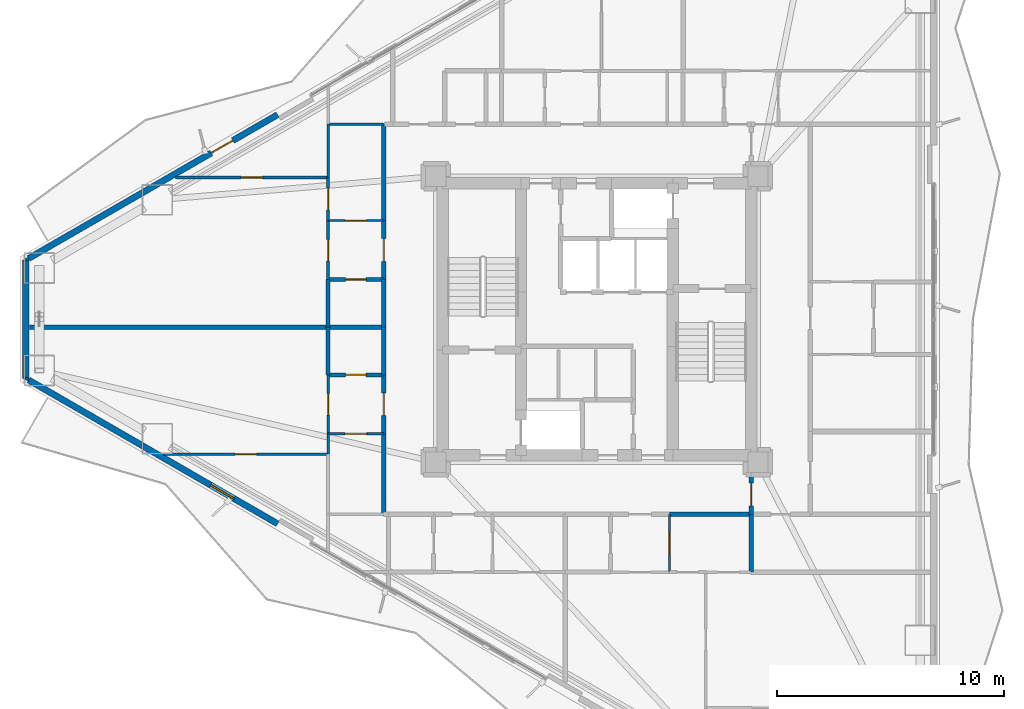
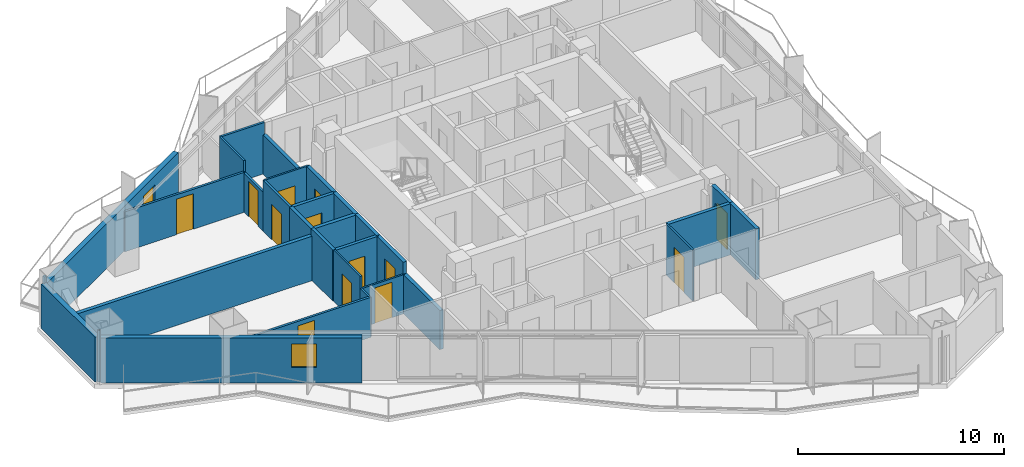
# One storey, part 12 of 18: 31 walls, 14 doors, 1 window, 15 openings.
"""IFC4 building model written with IfcOpenShell, lengths in metres."""

from ifc_helpers import new_model, si_unit, direction, frame, frame_2d, origin, place, context, subcontext, project, spatial, rectangle, extrude, material, layer, layer_set, type_object, element, fill, save


model = new_model("IFC4")

# Units and contexts
model_context = context("Model", 3, precision=1e-05, world=origin(), true_north=direction((0.0, 1.0)))
body_context = subcontext(model_context, "Body", "Model", "MODEL_VIEW")
ifc_project = project(units=[si_unit("LENGTHUNIT", "METRE"), si_unit("AREAUNIT", "SQUARE_METRE"), si_unit("VOLUMEUNIT", "CUBIC_METRE"), si_unit("PLANEANGLEUNIT", "RADIAN"), si_unit("MASSUNIT", "GRAM", prefix="KILO")], contexts=[model_context])

# Site, building, storey
site_placement = place(None, origin())
site = spatial("IfcSite", under=ifc_project, at=site_placement, CompositionType="ELEMENT")
building_placement = place(site_placement, origin())
building = spatial("IfcBuilding", under=site, at=building_placement, Name="Mersakhor Tower and Convention Hall", CompositionType="ELEMENT")
storey_placement = place(building_placement, frame((0.0, 0.0, 58.800048828125)))
storey = spatial("IfcBuildingStorey", under=building, at=storey_placement, Name="L16", CompositionType="ELEMENT", Elevation=58.800048828125)

# Wall
ifc_material_1 = material(Name="Precast concrete C45/55", Category="concrete")
ifc_layer_1 = layer(ifc_material_1, 0.27490234375)
ifc_layer_set_1 = layer_set([ifc_layer_1], Name="Precast concrete C45/55")
wall_type_1 = type_object("IfcWallType", Name="WL-EXT-275", PredefinedType="SOLIDWALL", material=ifc_layer_set_1)
wall_1_placement = place(storey_placement, frame((3.81298828125, 24.144287109375, 0.0), z_axis=(0.0, 0.0, 1.0), x_axis=(0.0, 1.0, 0.0)))
element("IfcWall", 1, at=wall_1_placement, inside=storey, type_object=wall_type_1, Name="L16 Chamfer Braced Spandrel Wall C3", PredefinedType="SOLIDWALL", context=body_context, shape_type="SweptSolid", body=[
    extrude(rectangle(XDim=5.21142578125, YDim=0.27490234375, at=frame_2d((2.605712890625, 0.0))), origin(), (0.0, 0.0, 1.0), 2.639892578125),
])

# Wall, opening, door
wall_2_placement = place(storey_placement, frame((3.943115234375, 29.4306640625, 0.0), z_axis=(0.0, 0.0, 1.0), x_axis=(0.866027105532, 0.499997052475, 0.0)))
wall_2 = element("IfcWall", 2, at=wall_2_placement, inside=storey, type_object=wall_type_1, Name="L16 Exterior Facade Wall F1-B1", PredefinedType="SOLIDWALL", context=body_context, shape_type="SweptSolid", body=[
    extrude(rectangle(XDim=12.6728515625, YDim=0.27490234375, at=frame_2d((6.33642578125, 0.0))), origin(), (0.0, 0.0, 1.0), 2.639892578125),
])
opening_1_placement = place(wall_2_placement, frame((9.298095703125, 0.0, 0.0)))
opening_1 = element("IfcOpeningElement", 3, at=opening_1_placement, cuts=wall_2, Name="Opening BD-02", PredefinedType="OPENING", context=body_context, shape_type="SweptSolid", body=[
    extrude(rectangle(XDim=1.10009765625, YDim=2.10009765625, at=frame_2d((0.550048828125, 1.050048828125))), frame((0.0, 0.1474609375, 0.0), z_axis=(0.0, -1.0, 0.0), x_axis=(1.0, 0.0, 0.0)), (0.0, 0.0, 1.0), 0.294921875),
])
ifc_material_2 = material(Name="Thermally broken dark aluminium and safety glass", Category="aluminium")
door_type_1 = type_object("IfcDoorType", Name="DR-BAL-110x210", OperationType="NOTDEFINED", PredefinedType="DOOR", material=ifc_material_2)
door_1_placement = place(opening_1_placement, origin())
door_1 = element("IfcDoor", 4, at=door_1_placement, inside=storey, type_object=door_type_1, Name="L16 Balcony Terrace Door F1-B1", OperationType="SINGLE_SWING_RIGHT", OverallHeight=2.10009765625, OverallWidth=1.10009765625, PredefinedType="DOOR", context=body_context, shape_type="SweptSolid", body=[
    extrude(rectangle(XDim=1.10009765625, YDim=2.10009765625, at=frame_2d((0.550048828125, 1.050048828125))), frame((0.0, 0.02490234375, 0.0), z_axis=(0.0, -1.0, 0.0), x_axis=(1.0, 0.0, 0.0)), (0.0, 0.0, 1.0), 0.050048828125),
])
fill(opening_1, door_1)

# Wall, opening, window
wall_3_placement = place(storey_placement, frame((14.918212890625, 17.73291015625, 0.0), z_axis=(0.0, 0.0, 1.0), x_axis=(-0.866027105532, 0.499997052475, 0.0)))
wall_3 = element("IfcWall", 5, at=wall_3_placement, inside=storey, type_object=wall_type_1, Name="L16 Exterior Facade Wall F3-B3", PredefinedType="SOLIDWALL", context=body_context, shape_type="SweptSolid", body=[
    extrude(rectangle(XDim=12.6728515625, YDim=0.27490234375, at=frame_2d((6.33642578125, 0.0))), origin(), (0.0, 0.0, 1.0), 2.639892578125),
])
opening_2_placement = place(wall_3_placement, frame((2.216064453125, 0.0, 0.89990234375)))
opening_2 = element("IfcOpeningElement", 6, at=opening_2_placement, cuts=wall_3, Name="Opening W-01", PredefinedType="OPENING", context=body_context, shape_type="SweptSolid", body=[
    extrude(rectangle(XDim=1.199951171875, YDim=1.39990234375, at=frame_2d((0.60009765625, 0.699951171875))), frame((0.0, 0.1474609375, 0.0), z_axis=(0.0, -1.0, 0.0), x_axis=(1.0, 0.0, 0.0)), (0.0, 0.0, 1.0), 0.294921875),
])
ifc_material_3 = material(Name="Dark solar low-E glazed aluminium window", Category="aluminium")
window_type = type_object("IfcWindowType", Name="WN-RES-120x150", PartitioningType="SINGLE_PANEL", PredefinedType="WINDOW", material=ifc_material_3)
window_placement = place(opening_2_placement, origin())
window = element("IfcWindow", 7, at=window_placement, inside=storey, type_object=window_type, Name="L16 Bedroom Facade Window F3-B3-1", OverallHeight=1.39990234375, OverallWidth=1.199951171875, PartitioningType="SINGLE_PANEL", PredefinedType="WINDOW", context=body_context, shape_type="SweptSolid", body=[
    extrude(rectangle(XDim=1.199951171875, YDim=1.39990234375, at=frame_2d((0.60009765625, 0.699951171875))), frame((0.0, 0.030029296875, 0.0), z_axis=(0.0, -1.0, 0.0), x_axis=(1.0, 0.0, 0.0)), (0.0, 0.0, 1.0), 0.06005859375),
])
fill(opening_2, window)

# Wall, opening, door
ifc_material_4 = material(Name="Moisture-resistant acoustic drywall studwork", Category="other")
ifc_layer_2 = layer(ifc_material_4, 0.175048828125)
ifc_layer_set_2 = layer_set([ifc_layer_2], Name="Moisture-resistant acoustic drywall studwork")
wall_type_2 = type_object("IfcWallType", Name="WL-PLM-175", PredefinedType="PLUMBINGWALL", material=ifc_layer_set_2)
wall_4_placement = place(storey_placement, frame((19.60009765625, 28.5, 0.0), z_axis=(0.0, 0.0, 1.0), x_axis=(-1.0, 0.0, 0.0)))
wall_4 = element("IfcWall", 8, at=wall_4_placement, inside=storey, type_object=wall_type_2, Name="L16 Interior Partition Wall P-083", PredefinedType="PLUMBINGWALL", context=body_context, shape_type="SweptSolid", body=[
    extrude(rectangle(XDim=2.4501953125, YDim=0.175048828125, at=frame_2d((1.22509765625, 0.0))), origin(), (0.0, 0.0, 1.0), 3.02001953125),
])
opening_3_placement = place(wall_4_placement, frame((0.77490234375, 0.0, 0.0)))
opening_3 = element("IfcOpeningElement", 9, at=opening_3_placement, cuts=wall_4, Name="Opening WD-01", PredefinedType="OPENING", context=body_context, shape_type="SweptSolid", body=[
    extrude(rectangle(XDim=0.89990234375, YDim=2.10009765625, at=frame_2d((0.449951171875, 1.050048828125))), frame((0.0, 0.097412109375, 0.0), z_axis=(0.0, -1.0, 0.0), x_axis=(1.0, 0.0, 0.0)), (0.0, 0.0, 1.0), 0.195068359375),
])
ifc_material_5 = material(Name="Solid-core hardwood leaf in painted steel frame", Category="steel")
door_type_2 = type_object("IfcDoorType", Name="DR-INT-WET-090x210", OperationType="NOTDEFINED", PredefinedType="DOOR", material=ifc_material_5)
door_2_placement = place(opening_3_placement, origin())
door_2 = element("IfcDoor", 10, at=door_2_placement, inside=storey, type_object=door_type_2, Name="L16 L16 Flat W6 Apartment Hall to L16 Flat W6 Bathroom Door", OperationType="SINGLE_SWING_RIGHT", OverallHeight=2.10009765625, OverallWidth=0.89990234375, PredefinedType="DOOR", context=body_context, shape_type="SweptSolid", body=[
    extrude(rectangle(XDim=0.89990234375, YDim=2.10009765625, at=frame_2d((0.449951171875, 1.050048828125))), frame((0.0, 0.02490234375, 0.0), z_axis=(0.0, -1.0, 0.0), x_axis=(1.0, 0.0, 0.0)), (0.0, 0.0, 1.0), 0.050048828125),
])
fill(opening_3, door_2)

wall_5_placement = place(storey_placement, frame((17.14990234375, 24.300048828125, 0.0), z_axis=(0.0, 0.0, 1.0), x_axis=(1.0, 0.0, 0.0)))
wall_5 = element("IfcWall", 11, at=wall_5_placement, inside=storey, type_object=wall_type_2, Name="L16 Interior Partition Wall P-085", PredefinedType="PLUMBINGWALL", context=body_context, shape_type="SweptSolid", body=[
    extrude(rectangle(XDim=2.4501953125, YDim=0.175048828125, at=frame_2d((1.22509765625, 0.0))), origin(), (0.0, 0.0, 1.0), 3.02001953125),
])
opening_4_placement = place(wall_5_placement, frame((0.77490234375, 0.0, 0.0)))
opening_4 = element("IfcOpeningElement", 12, at=opening_4_placement, cuts=wall_5, Name="Opening WD-01", PredefinedType="OPENING", context=body_context, shape_type="SweptSolid", body=[
    extrude(rectangle(XDim=0.89990234375, YDim=2.10009765625, at=frame_2d((0.449951171875, 1.050048828125))), frame((0.0, 0.097412109375, 0.0), z_axis=(0.0, -1.0, 0.0), x_axis=(1.0, 0.0, 0.0)), (0.0, 0.0, 1.0), 0.195068359375),
])
door_3_placement = place(opening_4_placement, origin())
door_3 = element("IfcDoor", 13, at=door_3_placement, inside=storey, type_object=door_type_2, Name="L16 L16 Flat W7 Apartment Hall to L16 Flat W7 Bathroom Door", OperationType="SINGLE_SWING_LEFT", OverallHeight=2.10009765625, OverallWidth=0.89990234375, PredefinedType="DOOR", context=body_context, shape_type="SweptSolid", body=[
    extrude(rectangle(XDim=0.89990234375, YDim=2.10009765625, at=frame_2d((0.449951171875, 1.050048828125))), frame((0.0, 0.02490234375, 0.0), z_axis=(0.0, -1.0, 0.0), x_axis=(1.0, 0.0, 0.0)), (0.0, 0.0, 1.0), 0.050048828125),
])
fill(opening_4, door_3)

# Walls
wall_6_placement = place(storey_placement, frame((17.14990234375, 26.39990234375, 0.0), z_axis=(0.0, 0.0, 1.0), x_axis=(0.0, 1.0, 0.0)))
element("IfcWall", 14, at=wall_6_placement, inside=storey, type_object=wall_type_2, Name="L16 Interior Partition Wall P-109", PredefinedType="PLUMBINGWALL", context=body_context, shape_type="SweptSolid", body=[
    extrude(rectangle(XDim=2.10009765625, YDim=0.175048828125, at=frame_2d((1.050048828125, 0.0))), origin(), (0.0, 0.0, 1.0), 3.02001953125),
])
wall_7_placement = place(storey_placement, frame((17.14990234375, 24.300048828125, 0.0), z_axis=(0.0, 0.0, 1.0), x_axis=(0.0, 1.0, 0.0)))
element("IfcWall", 15, at=wall_7_placement, inside=storey, type_object=wall_type_2, Name="L16 Interior Partition Wall P-114", PredefinedType="PLUMBINGWALL", context=body_context, shape_type="SweptSolid", body=[
    extrude(rectangle(XDim=2.099853515625, YDim=0.175048828125, at=frame_2d((1.0498046875, 0.0))), origin(), (0.0, 0.0, 1.0), 3.02001953125),
])

# Wall, opening, door
ifc_material_6 = material(Name="Lightweight gypsum partition", Category="other")
ifc_layer_3 = layer(ifc_material_6, 0.10009765625)
ifc_layer_set_3 = layer_set([ifc_layer_3], Name="Lightweight gypsum partition")
wall_type_3 = type_object("IfcWallType", Name="WL-PRT-100", PredefinedType="PARTITIONING", material=ifc_layer_set_3)
wall_8_placement = place(storey_placement, frame((32.199951171875, 18.14990234375, 0.0), z_axis=(0.0, 0.0, 1.0), x_axis=(0.0, -1.0, 0.0)))
wall_8 = element("IfcWall", 16, at=wall_8_placement, inside=storey, type_object=wall_type_3, Name="L16 Interior Partition Wall P-080", PredefinedType="PARTITIONING", context=body_context, shape_type="SweptSolid", body=[
    extrude(rectangle(XDim=2.5498046875, YDim=0.10009765625, at=frame_2d((1.27490234375, 0.0))), origin(), (0.0, 0.0, 1.0), 3.02001953125),
])
opening_5_placement = place(wall_8_placement, frame((0.800048828125, 0.0, 0.0)))
opening_5 = element("IfcOpeningElement", 17, at=opening_5_placement, cuts=wall_8, Name="Opening RD-01", PredefinedType="OPENING", context=body_context, shape_type="SweptSolid", body=[
    extrude(rectangle(XDim=0.949951171875, YDim=2.10009765625, at=frame_2d((0.47509765625, 1.050048828125))), frame((0.0, 0.06005859375, 0.0), z_axis=(0.0, -1.0, 0.0), x_axis=(1.0, 0.0, 0.0)), (0.0, 0.0, 1.0), 0.1201171875),
])
ifc_material_7 = material(Name="Solid-core hardwood leaf in painted steel frame", Category="steel")
door_type_3 = type_object("IfcDoorType", Name="DR-INT-RM-095x210", OperationType="NOTDEFINED", PredefinedType="DOOR", material=ifc_material_7)
door_4_placement = place(opening_5_placement, origin())
door_4 = element("IfcDoor", 18, at=door_4_placement, inside=storey, type_object=door_type_3, Name="L16 L16 Flat S5 Apartment Hall to L16 Flat S5 Kitchen Door", OperationType="SINGLE_SWING_RIGHT", OverallHeight=2.10009765625, OverallWidth=0.949951171875, PredefinedType="DOOR", context=body_context, shape_type="SweptSolid", body=[
    extrude(rectangle(XDim=0.949951171875, YDim=2.10009765625, at=frame_2d((0.47509765625, 1.050048828125))), frame((0.0, 0.02490234375, 0.0), z_axis=(0.0, -1.0, 0.0), x_axis=(1.0, 0.0, 0.0)), (0.0, 0.0, 1.0), 0.050048828125),
])
fill(opening_5, door_4)

wall_9_placement = place(storey_placement, frame((17.14990234375, 31.10009765625, 0.0), z_axis=(0.0, 0.0, 1.0), x_axis=(1.0, 0.0, 0.0)))
wall_9 = element("IfcWall", 19, at=wall_9_placement, inside=storey, type_object=wall_type_3, Name="L16 Interior Partition Wall P-082", PredefinedType="PARTITIONING", context=body_context, shape_type="SweptSolid", body=[
    extrude(rectangle(XDim=2.4501953125, YDim=0.10009765625, at=frame_2d((1.22509765625, 0.0))), origin(), (0.0, 0.0, 1.0), 3.02001953125),
])
opening_6_placement = place(wall_9_placement, frame((0.75, 0.0, 0.0)))
opening_6 = element("IfcOpeningElement", 20, at=opening_6_placement, cuts=wall_9, Name="Opening RD-01", PredefinedType="OPENING", context=body_context, shape_type="SweptSolid", body=[
    extrude(rectangle(XDim=0.949951171875, YDim=2.10009765625, at=frame_2d((0.47509765625, 1.050048828125))), frame((0.0, 0.06005859375, 0.0), z_axis=(0.0, -1.0, 0.0), x_axis=(1.0, 0.0, 0.0)), (0.0, 0.0, 1.0), 0.1201171875),
])
door_5_placement = place(opening_6_placement, origin())
door_5 = element("IfcDoor", 21, at=door_5_placement, inside=storey, type_object=door_type_3, Name="L16 L16 Flat W6 Apartment Hall to L16 Flat W6 Kitchen Door", OperationType="SINGLE_SWING_LEFT", OverallHeight=2.10009765625, OverallWidth=0.949951171875, PredefinedType="DOOR", context=body_context, shape_type="SweptSolid", body=[
    extrude(rectangle(XDim=0.949951171875, YDim=2.10009765625, at=frame_2d((0.47509765625, 1.050048828125))), frame((0.0, 0.02490234375, 0.0), z_axis=(0.0, -1.0, 0.0), x_axis=(1.0, 0.0, 0.0)), (0.0, 0.0, 1.0), 0.050048828125),
])
fill(opening_6, door_5)

wall_10_placement = place(storey_placement, frame((17.14990234375, 21.699951171875, 0.0), z_axis=(0.0, 0.0, 1.0), x_axis=(0.0, 1.0, 0.0)))
wall_10 = element("IfcWall", 22, at=wall_10_placement, inside=storey, type_object=wall_type_3, Name="L16 Interior Partition Wall P-084", PredefinedType="PARTITIONING", context=body_context, shape_type="SweptSolid", body=[
    extrude(rectangle(XDim=2.60009765625, YDim=0.10009765625, at=frame_2d((1.300048828125, 0.0))), origin(), (0.0, 0.0, 1.0), 3.02001953125),
])
opening_7_placement = place(wall_10_placement, frame((0.824951171875, 0.0, 0.0)))
opening_7 = element("IfcOpeningElement", 23, at=opening_7_placement, cuts=wall_10, Name="Opening RD-01", PredefinedType="OPENING", context=body_context, shape_type="SweptSolid", body=[
    extrude(rectangle(XDim=0.949951171875, YDim=2.10009765625, at=frame_2d((0.47509765625, 1.050048828125))), frame((0.0, 0.06005859375, 0.0), z_axis=(0.0, -1.0, 0.0), x_axis=(1.0, 0.0, 0.0)), (0.0, 0.0, 1.0), 0.1201171875),
])
door_6_placement = place(opening_7_placement, origin())
door_6 = element("IfcDoor", 24, at=door_6_placement, inside=storey, type_object=door_type_3, Name="L16 L16 Flat W7 Apartment Hall to L16 Flat W7 Living and Dining Room Door", OperationType="SINGLE_SWING_LEFT", OverallHeight=2.10009765625, OverallWidth=0.949951171875, PredefinedType="DOOR", context=body_context, shape_type="SweptSolid", body=[
    extrude(rectangle(XDim=0.949951171875, YDim=2.10009765625, at=frame_2d((0.47509765625, 1.050048828125))), frame((0.0, 0.02490234375, 0.0), z_axis=(0.0, -1.0, 0.0), x_axis=(1.0, 0.0, 0.0)), (0.0, 0.0, 1.0), 0.050048828125),
])
fill(opening_7, door_6)

wall_11_placement = place(storey_placement, frame((19.60009765625, 21.699951171875, 0.0), z_axis=(0.0, 0.0, 1.0), x_axis=(-1.0, 0.0, 0.0)))
wall_11 = element("IfcWall", 25, at=wall_11_placement, inside=storey, type_object=wall_type_3, Name="L16 Interior Partition Wall P-086", PredefinedType="PARTITIONING", context=body_context, shape_type="SweptSolid", body=[
    extrude(rectangle(XDim=2.4501953125, YDim=0.10009765625, at=frame_2d((1.22509765625, 0.0))), origin(), (0.0, 0.0, 1.0), 2.3173828125),
])
opening_8_placement = place(wall_11_placement, frame((0.75, 0.0, 0.0)))
opening_8 = element("IfcOpeningElement", 26, at=opening_8_placement, cuts=wall_11, Name="Opening RD-01", PredefinedType="OPENING", context=body_context, shape_type="SweptSolid", body=[
    extrude(rectangle(XDim=0.949951171875, YDim=2.10009765625, at=frame_2d((0.47509765625, 1.050048828125))), frame((0.0, 0.06005859375, 0.0), z_axis=(0.0, -1.0, 0.0), x_axis=(1.0, 0.0, 0.0)), (0.0, 0.0, 1.0), 0.1201171875),
])
door_7_placement = place(opening_8_placement, origin())
door_7 = element("IfcDoor", 27, at=door_7_placement, inside=storey, type_object=door_type_3, Name="L16 L16 Flat W7 Apartment Hall to L16 Flat W7 Kitchen Door", OperationType="SINGLE_SWING_RIGHT", OverallHeight=2.10009765625, OverallWidth=0.949951171875, PredefinedType="DOOR", context=body_context, shape_type="SweptSolid", body=[
    extrude(rectangle(XDim=0.949951171875, YDim=2.10009765625, at=frame_2d((0.47509765625, 1.050048828125))), frame((0.0, 0.02490234375, 0.0), z_axis=(0.0, -1.0, 0.0), x_axis=(1.0, 0.0, 0.0)), (0.0, 0.0, 1.0), 0.050048828125),
])
fill(opening_8, door_7)

# Walls
wall_12_placement = place(storey_placement, frame((17.14990234375, 33.0, 0.0), z_axis=(0.0, 0.0, 1.0), x_axis=(0.0, 1.0, 0.0)))
element("IfcWall", 28, at=wall_12_placement, inside=storey, type_object=wall_type_3, Name="L16 Interior Partition Wall P-112", PredefinedType="PARTITIONING", context=body_context, shape_type="SweptSolid", body=[
    extrude(rectangle(XDim=2.35009765625, YDim=0.10009765625, at=frame_2d((1.175048828125, 0.0))), origin(), (0.0, 0.0, 1.0), 3.02001953125),
])
wall_13_placement = place(storey_placement, frame((17.14990234375, 20.800048828125, 0.0), z_axis=(0.0, 0.0, 1.0), x_axis=(0.0, 1.0, 0.0)))
element("IfcWall", 29, at=wall_13_placement, inside=storey, type_object=wall_type_3, Name="L16 Interior Partition Wall P-116", PredefinedType="PARTITIONING", context=body_context, shape_type="SweptSolid", body=[
    extrude(rectangle(XDim=0.89990234375, YDim=0.10009765625, at=frame_2d((0.449951171875, 0.0))), origin(), (0.0, 0.0, 1.0), 2.3173828125),
])
wall_14_placement = place(storey_placement, frame((3.94287109375, 24.069091796875, 0.0), z_axis=(0.0, 0.0, 1.0), x_axis=(-0.866131372301, 0.499816412211, 0.0)))
element("IfcWall", 30, at=wall_14_placement, inside=storey, type_object=wall_type_3, Name="L16 Interior Partition Wall P-142", PredefinedType="PARTITIONING", context=body_context, shape_type="SweptSolid", body=[
    extrude(rectangle(XDim=0.14990234375, YDim=0.10009765625, at=frame_2d((0.074951171875, 0.0))), origin(), (0.0, 0.0, 1.0), 3.02001953125),
])

# Wall, opening, door
ifc_material_8 = material(Name="Gypsum board acoustic partition", Category="other")
ifc_layer_4 = layer(ifc_material_8, 0.125)
ifc_layer_set_4 = layer_set([ifc_layer_4], Name="Gypsum board acoustic partition")
wall_type_4 = type_object("IfcWallType", Name="WL-PRT-125", PredefinedType="PARTITIONING", material=ifc_layer_set_4)
wall_15_placement = place(storey_placement, frame((17.14990234375, 28.5, 0.0), z_axis=(0.0, 0.0, 1.0), x_axis=(0.0, 1.0, 0.0)))
wall_15 = element("IfcWall", 31, at=wall_15_placement, inside=storey, type_object=wall_type_4, Name="L16 Interior Partition Wall P-081", PredefinedType="PARTITIONING", context=body_context, shape_type="SweptSolid", body=[
    extrude(rectangle(XDim=2.60009765625, YDim=0.125, at=frame_2d((1.300048828125, 0.0))), origin(), (0.0, 0.0, 1.0), 3.02001953125),
])
opening_9_placement = place(wall_15_placement, frame((0.824951171875, 0.0, 0.0)))
opening_9 = element("IfcOpeningElement", 32, at=opening_9_placement, cuts=wall_15, Name="Opening RD-01", PredefinedType="OPENING", context=body_context, shape_type="SweptSolid", body=[
    extrude(rectangle(XDim=0.949951171875, YDim=2.10009765625, at=frame_2d((0.47509765625, 1.050048828125))), frame((0.0, 0.072509765625, 0.0), z_axis=(0.0, -1.0, 0.0), x_axis=(1.0, 0.0, 0.0)), (0.0, 0.0, 1.0), 0.14501953125),
])
door_8_placement = place(opening_9_placement, origin())
door_8 = element("IfcDoor", 33, at=door_8_placement, inside=storey, type_object=door_type_3, Name="L16 L16 Flat W6 Apartment Hall to L16 Flat W6 Living and Dining Room Door", OperationType="SINGLE_SWING_RIGHT", OverallHeight=2.10009765625, OverallWidth=0.949951171875, PredefinedType="DOOR", context=body_context, shape_type="SweptSolid", body=[
    extrude(rectangle(XDim=0.949951171875, YDim=2.10009765625, at=frame_2d((0.47509765625, 1.050048828125))), frame((0.0, 0.02490234375, 0.0), z_axis=(0.0, -1.0, 0.0), x_axis=(1.0, 0.0, 0.0)), (0.0, 0.0, 1.0), 0.050048828125),
])
fill(opening_9, door_8)

wall_16_placement = place(storey_placement, frame((17.14990234375, 31.10009765625, 0.0), z_axis=(0.0, 0.0, 1.0), x_axis=(0.0, 1.0, 0.0)))
wall_16 = element("IfcWall", 34, at=wall_16_placement, inside=storey, type_object=wall_type_4, Name="L16 Interior Partition Wall P-111", PredefinedType="PARTITIONING", context=body_context, shape_type="SweptSolid", body=[
    extrude(rectangle(XDim=1.89990234375, YDim=0.125, at=frame_2d((0.949951171875, 0.0))), origin(), (0.0, 0.0, 1.0), 2.3173828125),
])
opening_10_placement = place(wall_16_placement, frame((0.47509765625, 0.0, 0.0)))
opening_10 = element("IfcOpeningElement", 35, at=opening_10_placement, cuts=wall_16, Name="Opening RD-01", PredefinedType="OPENING", context=body_context, shape_type="SweptSolid", body=[
    extrude(rectangle(XDim=0.949951171875, YDim=2.10009765625, at=frame_2d((0.47509765625, 1.050048828125))), frame((0.0, 0.072509765625, 0.0), z_axis=(0.0, -1.0, 0.0), x_axis=(1.0, 0.0, 0.0)), (0.0, 0.0, 1.0), 0.14501953125),
])
door_9_placement = place(opening_10_placement, origin())
door_9 = element("IfcDoor", 36, at=door_9_placement, inside=storey, type_object=door_type_3, Name="L16 L16 Flat W6 Kitchen to L16 Flat W6 Living and Dining Room Door", OperationType="SINGLE_SWING_LEFT", OverallHeight=2.10009765625, OverallWidth=0.949951171875, PredefinedType="DOOR", context=body_context, shape_type="SweptSolid", body=[
    extrude(rectangle(XDim=0.949951171875, YDim=2.10009765625, at=frame_2d((0.47509765625, 1.050048828125))), frame((0.0, 0.02490234375, 0.0), z_axis=(0.0, -1.0, 0.0), x_axis=(1.0, 0.0, 0.0)), (0.0, 0.0, 1.0), 0.050048828125),
])
fill(opening_10, door_9)

# Wall
wall_17_placement = place(storey_placement, frame((17.14990234375, 35.35009765625, 0.0), z_axis=(0.0, 0.0, 1.0), x_axis=(1.0, 0.0, 0.0)))
element("IfcWall", 37, at=wall_17_placement, inside=storey, type_object=wall_type_4, Name="L16 Interior Partition Wall P-113", PredefinedType="PARTITIONING", context=body_context, shape_type="SweptSolid", body=[
    extrude(rectangle(XDim=2.4501953125, YDim=0.125, at=frame_2d((1.22509765625, 0.0))), origin(), (0.0, 0.0, 1.0), 3.02001953125),
])

# Wall, opening, door
wall_18_placement = place(storey_placement, frame((10.4189453125, 33.0, 0.0), z_axis=(0.0, 0.0, 1.0), x_axis=(1.0, 0.0, 0.0)))
wall_18 = element("IfcWall", 38, at=wall_18_placement, inside=storey, type_object=wall_type_4, Name="L16 Interior Partition Wall P-137", PredefinedType="PARTITIONING", context=body_context, shape_type="SweptSolid", body=[
    extrude(rectangle(XDim=6.73095703125, YDim=0.125, at=frame_2d((3.365478515625, 0.0))), origin(), (0.0, 0.0, 1.0), 2.364990234375),
])
opening_11_placement = place(wall_18_placement, frame((2.890380859375, 0.0, 0.0)))
opening_11 = element("IfcOpeningElement", 39, at=opening_11_placement, cuts=wall_18, Name="Opening RD-01", PredefinedType="OPENING", context=body_context, shape_type="SweptSolid", body=[
    extrude(rectangle(XDim=0.949951171875, YDim=2.10009765625, at=frame_2d((0.47509765625, 1.050048828125))), frame((0.0, 0.072509765625, 0.0), z_axis=(0.0, -1.0, 0.0), x_axis=(1.0, 0.0, 0.0)), (0.0, 0.0, 1.0), 0.14501953125),
])
door_10_placement = place(opening_11_placement, origin())
door_10 = element("IfcDoor", 40, at=door_10_placement, inside=storey, type_object=door_type_3, Name="L16 L16 Flat W6 Living and Dining Room to L16 Flat W6 Bedroom 1 Door", OperationType="SINGLE_SWING_RIGHT", OverallHeight=2.10009765625, OverallWidth=0.949951171875, PredefinedType="DOOR", context=body_context, shape_type="SweptSolid", body=[
    extrude(rectangle(XDim=0.949951171875, YDim=2.10009765625, at=frame_2d((0.47509765625, 1.050048828125))), frame((0.0, 0.02490234375, 0.0), z_axis=(0.0, -1.0, 0.0), x_axis=(1.0, 0.0, 0.0)), (0.0, 0.0, 1.0), 0.050048828125),
])
fill(opening_11, door_10)

# Wall
wall_19_placement = place(storey_placement, frame((3.81298828125, 29.35595703125, 0.0), z_axis=(0.0, 0.0, 1.0), x_axis=(0.866131372301, 0.499816412211, 0.0)))
element("IfcWall", 41, at=wall_19_placement, inside=storey, type_object=wall_type_4, Name="L16 Interior Partition Wall P-139", PredefinedType="PARTITIONING", context=body_context, shape_type="SweptSolid", body=[
    extrude(rectangle(XDim=0.14990234375, YDim=0.125, at=frame_2d((0.074951171875, 0.0))), origin(), (0.0, 0.0, 1.0), 3.02001953125),
])

# Wall, opening, door
wall_20_placement = place(storey_placement, frame((17.14990234375, 20.800048828125, 0.0), z_axis=(0.0, 0.0, 1.0), x_axis=(-1.0, 0.0, 0.0)))
wall_20 = element("IfcWall", 42, at=wall_20_placement, inside=storey, type_object=wall_type_4, Name="L16 Interior Partition Wall P-141", PredefinedType="PARTITIONING", context=body_context, shape_type="SweptSolid", body=[
    extrude(rectangle(XDim=7.25048828125, YDim=0.125, at=frame_2d((3.625244140625, 0.0))), origin(), (0.0, 0.0, 1.0), 2.364990234375),
])
opening_12_placement = place(wall_20_placement, frame((3.150390625, 0.0, 0.0)))
opening_12 = element("IfcOpeningElement", 43, at=opening_12_placement, cuts=wall_20, Name="Opening RD-01", PredefinedType="OPENING", context=body_context, shape_type="SweptSolid", body=[
    extrude(rectangle(XDim=0.949951171875, YDim=2.10009765625, at=frame_2d((0.47509765625, 1.050048828125))), frame((0.0, 0.072509765625, 0.0), z_axis=(0.0, -1.0, 0.0), x_axis=(1.0, 0.0, 0.0)), (0.0, 0.0, 1.0), 0.14501953125),
])
door_11_placement = place(opening_12_placement, origin())
door_11 = element("IfcDoor", 44, at=door_11_placement, inside=storey, type_object=door_type_3, Name="L16 L16 Flat W7 Living and Dining Room to L16 Flat W7 Bedroom 1 Door", OperationType="SINGLE_SWING_LEFT", OverallHeight=2.10009765625, OverallWidth=0.949951171875, PredefinedType="DOOR", context=body_context, shape_type="SweptSolid", body=[
    extrude(rectangle(XDim=0.949951171875, YDim=2.10009765625, at=frame_2d((0.47509765625, 1.050048828125))), frame((0.0, 0.02490234375, 0.0), z_axis=(0.0, -1.0, 0.0), x_axis=(1.0, 0.0, 0.0)), (0.0, 0.0, 1.0), 0.050048828125),
])
fill(opening_12, door_11)

ifc_material_9 = material(Name="Acoustic concrete blockwork and gypsum board", Category="masonry")
ifc_layer_5 = layer(ifc_material_9, 0.199951171875)
ifc_layer_set_5 = layer_set([ifc_layer_5], Name="Acoustic concrete blockwork and gypsum board")
wall_type_5 = type_object("IfcWallType", Name="WL-PRT-200", PredefinedType="PARTITIONING", material=ifc_layer_set_5)
wall_21_placement = place(storey_placement, frame((35.800048828125, 19.89990234375, 0.0), z_axis=(0.0, 0.0, 1.0), x_axis=(0.0, -1.0, 0.0)))
wall_21 = element("IfcWall", 45, at=wall_21_placement, inside=storey, type_object=wall_type_5, Name="L16 Interior Partition Wall P-023", PredefinedType="PARTITIONING", context=body_context, shape_type="SweptSolid", body=[
    extrude(rectangle(XDim=1.75, YDim=0.199951171875, at=frame_2d((0.875, 0.0))), origin(), (0.0, 0.0, 1.0), 3.02001953125),
])
opening_13_placement = place(wall_21_placement, frame((0.375, 0.0, 0.0)))
opening_13 = element("IfcOpeningElement", 46, at=opening_13_placement, cuts=wall_21, Name="Opening FD-01", PredefinedType="OPENING", context=body_context, shape_type="SweptSolid", body=[
    extrude(rectangle(XDim=1.0, YDim=2.14990234375, at=frame_2d((0.5, 1.074951171875))), frame((0.0, 0.10986328125, 0.0), z_axis=(0.0, -1.0, 0.0), x_axis=(1.0, 0.0, 0.0)), (0.0, 0.0, 1.0), 0.219970703125),
])
ifc_material_10 = material(Name="Fire-rated hardwood leaf and painted steel frame", Category="steel")
door_type_4 = type_object("IfcDoorType", Name="DR-INT-FLT-100x215", OperationType="NOTDEFINED", PredefinedType="DOOR", material=ifc_material_10)
door_12_placement = place(opening_13_placement, origin())
door_12 = element("IfcDoor", 47, at=door_12_placement, inside=storey, type_object=door_type_4, Name="L16 Ring Corridor Fire Door", OperationType="SINGLE_SWING_RIGHT", OverallHeight=2.14990234375, OverallWidth=1.0, PredefinedType="DOOR", context=body_context, shape_type="SweptSolid", body=[
    extrude(rectangle(XDim=1.0, YDim=2.14990234375, at=frame_2d((0.5, 1.074951171875))), frame((0.0, 0.02490234375, 0.0), z_axis=(0.0, -1.0, 0.0), x_axis=(1.0, 0.0, 0.0)), (0.0, 0.0, 1.0), 0.050048828125),
])
fill(opening_13, door_12)

# Walls
wall_22_placement = place(storey_placement, frame((35.800048828125, 18.14990234375, 0.0), z_axis=(0.0, 0.0, 1.0), x_axis=(-1.0, 0.0, 0.0)))
element("IfcWall", 48, at=wall_22_placement, inside=storey, type_object=wall_type_5, Name="L16 Interior Partition Wall P-024", PredefinedType="PARTITIONING", context=body_context, shape_type="SweptSolid", body=[
    extrude(rectangle(XDim=3.60009765625, YDim=0.199951171875, at=frame_2d((1.800048828125, 0.0))), origin(), (0.0, 0.0, 1.0), 3.02001953125),
])
wall_23_placement = place(storey_placement, frame((19.60009765625, 18.14990234375, 0.0), z_axis=(0.0, 0.0, 1.0), x_axis=(0.0, 1.0, 0.0)))
element("IfcWall", 49, at=wall_23_placement, inside=storey, type_object=wall_type_5, Name="L16 Interior Partition Wall P-031", PredefinedType="PARTITIONING", context=body_context, shape_type="SweptSolid", body=[
    extrude(rectangle(XDim=3.550048828125, YDim=0.199951171875, at=frame_2d((1.77490234375, 0.0))), origin(), (0.0, 0.0, 1.0), 2.3173828125),
])

# Wall, opening, door
wall_24_placement = place(storey_placement, frame((19.60009765625, 21.699951171875, 0.0), z_axis=(0.0, 0.0, 1.0), x_axis=(0.0, 1.0, 0.0)))
wall_24 = element("IfcWall", 50, at=wall_24_placement, inside=storey, type_object=wall_type_5, Name="L16 Interior Partition Wall P-032", PredefinedType="PARTITIONING", context=body_context, shape_type="SweptSolid", body=[
    extrude(rectangle(XDim=2.60009765625, YDim=0.199951171875, at=frame_2d((1.300048828125, 0.0))), origin(), (0.0, 0.0, 1.0), 3.02001953125),
])
opening_14_placement = place(wall_24_placement, frame((0.800048828125, 0.0, 0.0)))
opening_14 = element("IfcOpeningElement", 51, at=opening_14_placement, cuts=wall_24, Name="Opening FD-01", PredefinedType="OPENING", context=body_context, shape_type="SweptSolid", body=[
    extrude(rectangle(XDim=1.0, YDim=2.14990234375, at=frame_2d((0.5, 1.074951171875))), frame((0.0, 0.10986328125, 0.0), z_axis=(0.0, -1.0, 0.0), x_axis=(1.0, 0.0, 0.0)), (0.0, 0.0, 1.0), 0.219970703125),
])
door_13_placement = place(opening_14_placement, origin())
door_13 = element("IfcDoor", 52, at=door_13_placement, inside=storey, type_object=door_type_4, Name="L16 Apartment Entrance Door (Residential Ring Corridor to L16 Flat W7 Apartment Hall)", OperationType="SINGLE_SWING_LEFT", OverallHeight=2.14990234375, OverallWidth=1.0, PredefinedType="DOOR", context=body_context, shape_type="SweptSolid", body=[
    extrude(rectangle(XDim=1.0, YDim=2.14990234375, at=frame_2d((0.5, 1.074951171875))), frame((0.0, 0.02490234375, 0.0), z_axis=(0.0, -1.0, 0.0), x_axis=(1.0, 0.0, 0.0)), (0.0, 0.0, 1.0), 0.050048828125),
])
fill(opening_14, door_13)

# Walls
wall_25_placement = place(storey_placement, frame((19.60009765625, 24.300048828125, 0.0), z_axis=(0.0, 0.0, 1.0), x_axis=(0.0, 1.0, 0.0)))
element("IfcWall", 53, at=wall_25_placement, inside=storey, type_object=wall_type_5, Name="L16 Interior Partition Wall P-033", PredefinedType="PARTITIONING", context=body_context, shape_type="SweptSolid", body=[
    extrude(rectangle(XDim=2.099853515625, YDim=0.199951171875, at=frame_2d((1.0498046875, 0.0))), origin(), (0.0, 0.0, 1.0), 3.02001953125),
])
wall_26_placement = place(storey_placement, frame((19.60009765625, 26.39990234375, 0.0), z_axis=(0.0, 0.0, 1.0), x_axis=(0.0, 1.0, 0.0)))
element("IfcWall", 54, at=wall_26_placement, inside=storey, type_object=wall_type_5, Name="L16 Interior Partition Wall P-034", PredefinedType="PARTITIONING", context=body_context, shape_type="SweptSolid", body=[
    extrude(rectangle(XDim=2.10009765625, YDim=0.199951171875, at=frame_2d((1.050048828125, 0.0))), origin(), (0.0, 0.0, 1.0), 3.02001953125),
])

# Wall, opening, door
wall_27_placement = place(storey_placement, frame((19.60009765625, 28.5, 0.0), z_axis=(0.0, 0.0, 1.0), x_axis=(0.0, 1.0, 0.0)))
wall_27 = element("IfcWall", 55, at=wall_27_placement, inside=storey, type_object=wall_type_5, Name="L16 Interior Partition Wall P-035", PredefinedType="PARTITIONING", context=body_context, shape_type="SweptSolid", body=[
    extrude(rectangle(XDim=2.60009765625, YDim=0.199951171875, at=frame_2d((1.300048828125, 0.0))), origin(), (0.0, 0.0, 1.0), 3.02001953125),
])
opening_15_placement = place(wall_27_placement, frame((0.800048828125, 0.0, 0.0)))
opening_15 = element("IfcOpeningElement", 56, at=opening_15_placement, cuts=wall_27, Name="Opening FD-01", PredefinedType="OPENING", context=body_context, shape_type="SweptSolid", body=[
    extrude(rectangle(XDim=1.0, YDim=2.14990234375, at=frame_2d((0.5, 1.074951171875))), frame((0.0, 0.10986328125, 0.0), z_axis=(0.0, -1.0, 0.0), x_axis=(1.0, 0.0, 0.0)), (0.0, 0.0, 1.0), 0.219970703125),
])
door_14_placement = place(opening_15_placement, origin())
door_14 = element("IfcDoor", 57, at=door_14_placement, inside=storey, type_object=door_type_4, Name="L16 Apartment Entrance Door (Residential Ring Corridor to L16 Flat W6 Apartment Hall)", OperationType="SINGLE_SWING_RIGHT", OverallHeight=2.14990234375, OverallWidth=1.0, PredefinedType="DOOR", context=body_context, shape_type="SweptSolid", body=[
    extrude(rectangle(XDim=1.0, YDim=2.14990234375, at=frame_2d((0.5, 1.074951171875))), frame((0.0, 0.02490234375, 0.0), z_axis=(0.0, -1.0, 0.0), x_axis=(1.0, 0.0, 0.0)), (0.0, 0.0, 1.0), 0.050048828125),
])
fill(opening_15, door_14)

# Walls
wall_28_placement = place(storey_placement, frame((19.60009765625, 31.10009765625, 0.0), z_axis=(0.0, 0.0, 1.0), x_axis=(0.0, 1.0, 0.0)))
element("IfcWall", 58, at=wall_28_placement, inside=storey, type_object=wall_type_5, Name="L16 Interior Partition Wall P-036", PredefinedType="PARTITIONING", context=body_context, shape_type="SweptSolid", body=[
    extrude(rectangle(XDim=4.25, YDim=0.199951171875, at=frame_2d((2.125, 0.0))), origin(), (0.0, 0.0, 1.0), 2.3173828125),
])
wall_29_placement = place(storey_placement, frame((35.800048828125, 18.14990234375, 0.0), z_axis=(0.0, 0.0, 1.0), x_axis=(0.0, -1.0, 0.0)))
element("IfcWall", 59, at=wall_29_placement, inside=storey, type_object=wall_type_5, Name="L16 Interior Partition Wall P-108", PredefinedType="PARTITIONING", context=body_context, shape_type="SweptSolid", body=[
    extrude(rectangle(XDim=2.5498046875, YDim=0.199951171875, at=frame_2d((1.27490234375, 0.0))), origin(), (0.0, 0.0, 1.0), 3.02001953125),
])
wall_30_placement = place(storey_placement, frame((19.60009765625, 26.39990234375, 0.0), z_axis=(0.0, 0.0, 1.0), x_axis=(-1.0, 0.0, 0.0)))
element("IfcWall", 60, at=wall_30_placement, inside=storey, type_object=wall_type_5, Name="L16 Interior Partition Wall P-110", PredefinedType="PARTITIONING", context=body_context, shape_type="SweptSolid", body=[
    extrude(rectangle(XDim=2.4501953125, YDim=0.199951171875, at=frame_2d((1.22509765625, 0.0))), origin(), (0.0, 0.0, 1.0), 3.02001953125),
])
wall_31_placement = place(storey_placement, frame((17.14990234375, 26.39990234375, 0.0), z_axis=(0.0, 0.0, 1.0), x_axis=(-1.0, 0.0, 0.0)))
element("IfcWall", 61, at=wall_31_placement, inside=storey, type_object=wall_type_5, Name="L16 Interior Partition Wall P-138", PredefinedType="PARTITIONING", context=body_context, shape_type="SweptSolid", body=[
    extrude(rectangle(XDim=13.17529296875, YDim=0.199951171875, at=frame_2d((6.587646484375, 0.0))), origin(), (0.0, 0.0, 1.0), 2.63037109375),
])

save(model, "model.ifc")
